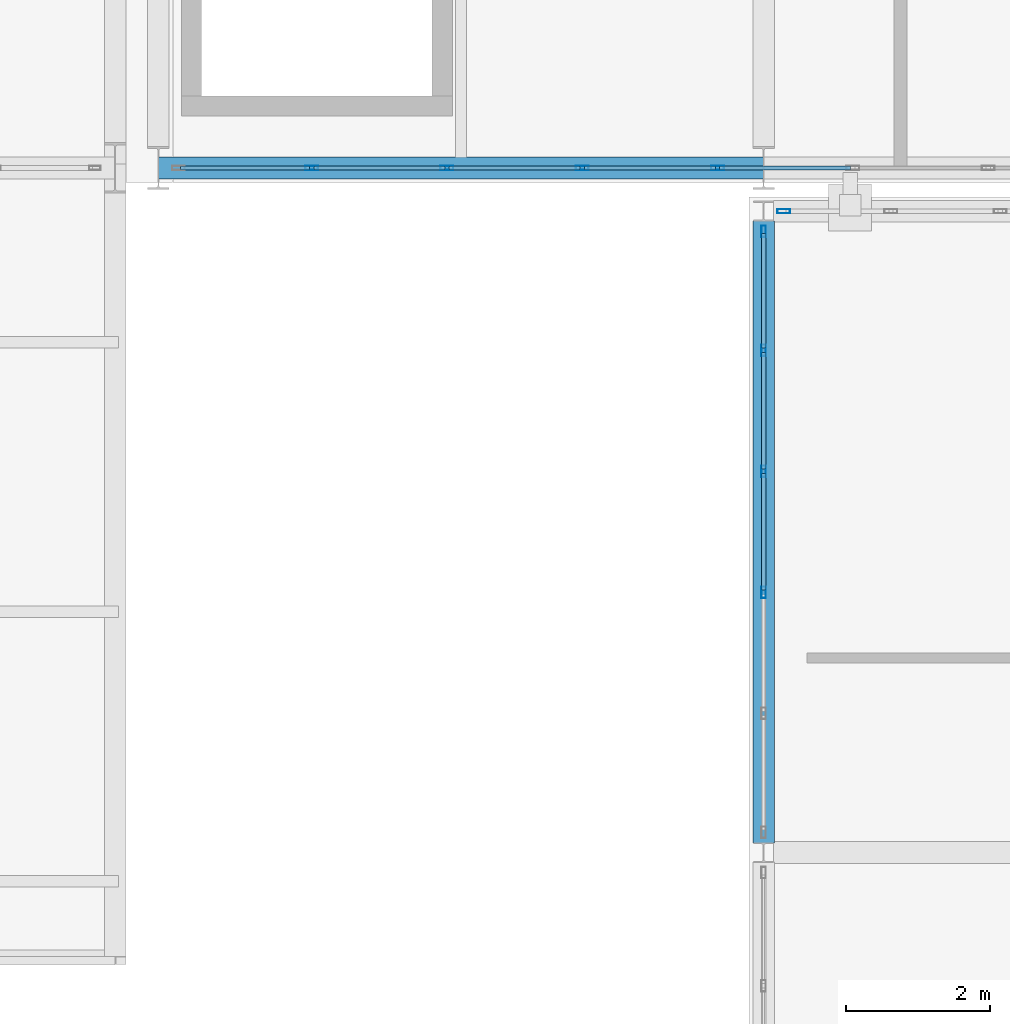
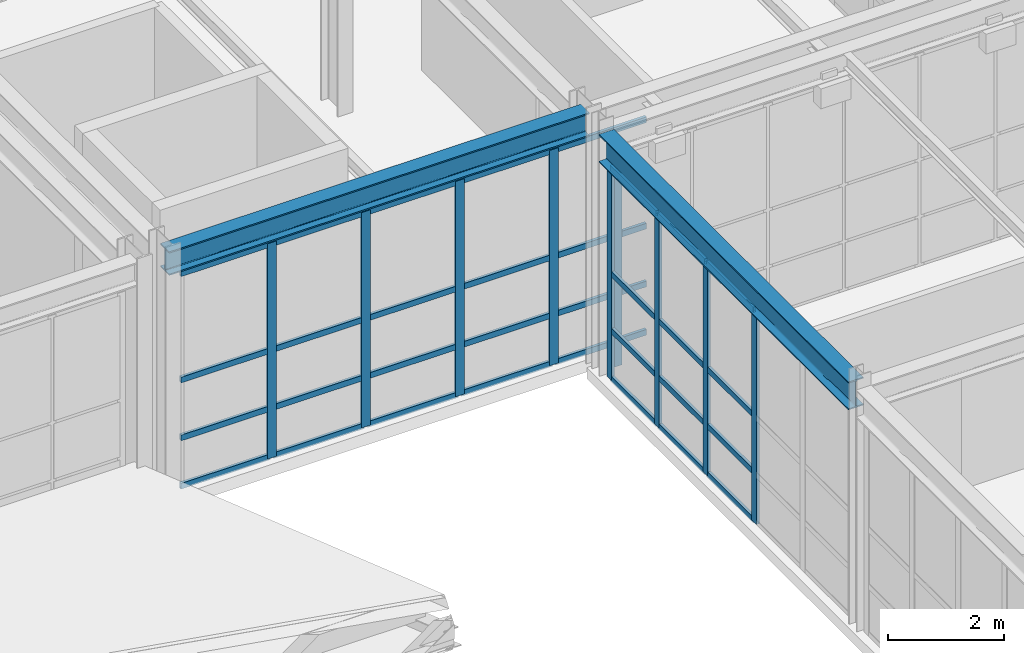
# One storey, part 143 of 239: 41 members, 2 beams, 3 elements without a shape of their own.
"""IFC4 building model written with IfcOpenShell, lengths in metres."""

from ifc_helpers import new_model, si_unit, direction, frame, origin, origin_2d, place, context, subcontext, project, spatial, hollow_rectangle, i_section, extrude, material, material_profile, profile_set, type_object, element, aggregate, save


model = new_model("IFC4")

# Units and contexts
model_context = context("Model", 3, precision=1e-05, world=origin(), true_north=direction((0.0, 1.0)))
body_context = subcontext(model_context, "Body", "Model", "MODEL_VIEW")
ifc_project = project(units=[si_unit("LENGTHUNIT", "METRE"), si_unit("AREAUNIT", "SQUARE_METRE"), si_unit("VOLUMEUNIT", "CUBIC_METRE"), si_unit("PLANEANGLEUNIT", "RADIAN"), si_unit("MASSUNIT", "GRAM", prefix="KILO")], contexts=[model_context])

# Site, building, storey
site_placement = place(None, origin())
site = spatial("IfcSite", under=ifc_project, at=site_placement, CompositionType="ELEMENT")
building_placement = place(site_placement, origin())
building = spatial("IfcBuilding", under=site, at=building_placement, Name="Kaldris Quays Convention Centre", CompositionType="ELEMENT")
storey_placement = place(building_placement, frame((0.0, 0.0, 11.39990234375)))
storey = spatial("IfcBuildingStorey", under=building, at=storey_placement, Name="L02", CompositionType="ELEMENT", Elevation=11.39990234375)

# Curtain wall, members
ifc_material_1 = material(Name="Anodized aluminium AW-6060 and triple glazing", Category="aluminium")
curtain_wall_type_1 = type_object("IfcCurtainWallType", Name="UNITISED CURTAIN WALL CW02", PredefinedType="NOTDEFINED", material=ifc_material_1)
curtain_wall_1_placement = place(storey_placement, origin())
curtain_wall_1 = element("IfcCurtainWall", 1, at=curtain_wall_1_placement, inside=storey, type_object=curtain_wall_type_1, Name="L02 Unitised Curtain Wall CW02 211", PredefinedType="NOTDEFINED")
ifc_material_2 = material(Name="Anodized aluminium AW-6060", Category="aluminium")
ifc_material_profile_1 = material_profile(ifc_material_2, hollow_rectangle(XDim=0.06005859375, YDim=0.159912109375, WallThickness=0.00390625, at=origin_2d()), Name="RHS 160x60x4")
ifc_profile_set_1 = profile_set([ifc_material_profile_1], Name="Anodized aluminium AW-6060")
member_type_1 = type_object("IfcMemberType", Name="CURTAIN MULLION CWM1", PredefinedType="MULLION", material=ifc_profile_set_1)
member_1_placement = place(storey_placement, frame((155.0, 32.110107421875, 0.0), z_axis=(0.0, 0.0, 1.0), x_axis=(-1.0, 0.0, 0.0)))
member_1 = element("IfcMember", 2, at=member_1_placement, type_object=member_type_1, Name="CW02 mullion 3", PredefinedType="MULLION", context=body_context, shape_type="SweptSolid", body=[
    extrude(hollow_rectangle(XDim=0.06005859375, YDim=0.159912109375, WallThickness=0.00390625, at=origin_2d()), origin(), (0.0, 0.0, 1.0), 4.498046875),
])
member_2_placement = place(storey_placement, frame((155.0, 33.7900390625, 0.0), z_axis=(0.0, 0.0, 1.0), x_axis=(-1.0, 0.0, 0.0)))
member_2 = element("IfcMember", 3, at=member_2_placement, type_object=member_type_1, Name="CW02 mullion 4", PredefinedType="MULLION", context=body_context, shape_type="SweptSolid", body=[
    extrude(hollow_rectangle(XDim=0.06005859375, YDim=0.159912109375, WallThickness=0.00390625, at=origin_2d()), origin(), (0.0, 0.0, 1.0), 4.498046875),
])
member_3_placement = place(storey_placement, frame((155.0, 35.469970703125, 0.0), z_axis=(0.0, 0.0, 1.0), x_axis=(-1.0, 0.0, 0.0)))
member_3 = element("IfcMember", 4, at=member_3_placement, type_object=member_type_1, Name="CW02 mullion 5", PredefinedType="MULLION", context=body_context, shape_type="SweptSolid", body=[
    extrude(hollow_rectangle(XDim=0.06005859375, YDim=0.159912109375, WallThickness=0.00390625, at=origin_2d()), origin(), (0.0, 0.0, 1.0), 4.498046875),
])
member_4_placement = place(storey_placement, frame((155.0, 37.1201171875, 0.0), z_axis=(0.0, 0.0, 1.0), x_axis=(-1.0, 0.0, 0.0)))
member_4 = element("IfcMember", 5, at=member_4_placement, type_object=member_type_1, Name="CW02 mullion 6", PredefinedType="MULLION", context=body_context, shape_type="SweptSolid", body=[
    extrude(hollow_rectangle(XDim=0.06005859375, YDim=0.159912109375, WallThickness=0.00390625, at=origin_2d()), origin(), (0.0, 0.0, 1.0), 4.498046875),
])

curtain_wall_type_2 = type_object("IfcCurtainWallType", Name="UNITISED CURTAIN WALL CW05", PredefinedType="NOTDEFINED", material=ifc_material_1)
curtain_wall_2_placement = place(storey_placement, origin())
curtain_wall_2 = element("IfcCurtainWall", 6, at=curtain_wall_2_placement, inside=storey, type_object=curtain_wall_type_2, Name="L02 Unitised Curtain Wall CW05 145", PredefinedType="NOTDEFINED")
ifc_material_profile_2 = material_profile(ifc_material_2, hollow_rectangle(XDim=0.06005859375, YDim=0.179931640625, WallThickness=0.0048828125, at=origin_2d()), Name="RHS 180x60x5")
ifc_profile_set_2 = profile_set([ifc_material_profile_2], Name="Anodized aluminium AW-6060")
member_type_2 = type_object("IfcMemberType", Name="CURTAIN MULLION CWM2", PredefinedType="MULLION", material=ifc_profile_set_2)
member_5_placement = place(storey_placement, frame((148.727783203125, 38.0, 0.0), z_axis=(0.0, 0.0, 1.0), x_axis=(0.0, 1.0, 0.0)))
member_5 = element("IfcMember", 7, at=member_5_placement, type_object=member_type_2, Name="CW05 mullion 2", PredefinedType="MULLION", context=body_context, shape_type="SweptSolid", body=[
    extrude(hollow_rectangle(XDim=0.06005859375, YDim=0.179931640625, WallThickness=0.0048828125, at=origin_2d()), origin(), (0.0, 0.0, 1.0), 4.548095703125),
])
member_6_placement = place(storey_placement, frame((150.60546875, 38.0, 0.0), z_axis=(0.0, 0.0, 1.0), x_axis=(0.0, 1.0, 0.0)))
member_6 = element("IfcMember", 8, at=member_6_placement, type_object=member_type_2, Name="CW05 mullion 3", PredefinedType="MULLION", context=body_context, shape_type="SweptSolid", body=[
    extrude(hollow_rectangle(XDim=0.06005859375, YDim=0.179931640625, WallThickness=0.0048828125, at=origin_2d()), origin(), (0.0, 0.0, 1.0), 4.548095703125),
])
member_7_placement = place(storey_placement, frame((152.4833984375, 38.0, 0.0), z_axis=(0.0, 0.0, 1.0), x_axis=(0.0, 1.0, 0.0)))
member_7 = element("IfcMember", 9, at=member_7_placement, type_object=member_type_2, Name="CW05 mullion 4", PredefinedType="MULLION", context=body_context, shape_type="SweptSolid", body=[
    extrude(hollow_rectangle(XDim=0.06005859375, YDim=0.179931640625, WallThickness=0.0048828125, at=origin_2d()), origin(), (0.0, 0.0, 1.0), 4.548095703125),
])
member_8_placement = place(storey_placement, frame((154.361083984375, 38.0, 0.0), z_axis=(0.0, 0.0, 1.0), x_axis=(0.0, 1.0, 0.0)))
member_8 = element("IfcMember", 10, at=member_8_placement, type_object=member_type_2, Name="CW05 mullion 5", PredefinedType="MULLION", context=body_context, shape_type="SweptSolid", body=[
    extrude(hollow_rectangle(XDim=0.06005859375, YDim=0.179931640625, WallThickness=0.0048828125, at=origin_2d()), origin(), (0.0, 0.0, 1.0), 4.548095703125),
])

# Curtain wall, member
curtain_wall_3_placement = place(storey_placement, origin())
curtain_wall_3 = element("IfcCurtainWall", 11, at=curtain_wall_3_placement, inside=storey, type_object=curtain_wall_type_1, Name="L02 Unitised Curtain Wall CW02 200", PredefinedType="NOTDEFINED")
member_9_placement = place(storey_placement, frame((155.280029296875, 37.39990234375, 0.0), z_axis=(0.0, 0.0, 1.0), x_axis=(0.0, 1.0, 0.0)))
member_9 = element("IfcMember", 12, at=member_9_placement, type_object=member_type_2, Name="CW02 mullion 1", PredefinedType="MULLION", context=body_context, shape_type="SweptSolid", body=[
    extrude(hollow_rectangle(XDim=0.06005859375, YDim=0.179931640625, WallThickness=0.0048828125, at=origin_2d()), origin(), (0.0, 0.0, 1.0), 4.498046875),
])
aggregate(curtain_wall_3, [member_9])

# Member
ifc_material_profile_3 = material_profile(ifc_material_2, hollow_rectangle(XDim=0.06005859375, YDim=0.1201171875, WallThickness=0.00390625, at=origin_2d()), Name="RHS 120x60x4")
ifc_profile_set_3 = profile_set([ifc_material_profile_3], Name="Anodized aluminium AW-6060")
member_type_3 = type_object("IfcMemberType", Name="CURTAIN TRANSOM CWT1", PredefinedType="USERDEFINED", material=ifc_profile_set_3)
member_10_placement = place(storey_placement, frame((146.909912109375, 38.0, 0.030029296875), z_axis=(1.0, 0.0, 0.0), x_axis=(0.0, 1.0, 0.0)))
member_10 = element("IfcMember", 13, at=member_10_placement, type_object=member_type_3, Name="CW05 transom 1.1", ObjectType="TRANSOM", PredefinedType="USERDEFINED", context=body_context, shape_type="SweptSolid", body=[
    extrude(hollow_rectangle(XDim=0.06005859375, YDim=0.1201171875, WallThickness=0.00390625, at=origin_2d()), origin(), (0.0, 0.0, 1.0), 1.787841796875),
])

member_11_placement = place(storey_placement, frame((146.909912109375, 38.0, 1.050048828125), z_axis=(1.0, 0.0, 0.0), x_axis=(0.0, 1.0, 0.0)))
member_11 = element("IfcMember", 14, at=member_11_placement, type_object=member_type_3, Name="CW05 transom 1.2", ObjectType="TRANSOM", PredefinedType="USERDEFINED", context=body_context, shape_type="SweptSolid", body=[
    extrude(hollow_rectangle(XDim=0.06005859375, YDim=0.1201171875, WallThickness=0.00390625, at=origin_2d()), origin(), (0.0, 0.0, 1.0), 1.787841796875),
])

member_12_placement = place(storey_placement, frame((146.909912109375, 38.0, 2.274169921875), z_axis=(1.0, 0.0, 0.0), x_axis=(0.0, 1.0, 0.0)))
member_12 = element("IfcMember", 15, at=member_12_placement, type_object=member_type_3, Name="CW05 transom 1.3", ObjectType="TRANSOM", PredefinedType="USERDEFINED", context=body_context, shape_type="SweptSolid", body=[
    extrude(hollow_rectangle(XDim=0.06005859375, YDim=0.1201171875, WallThickness=0.00390625, at=origin_2d()), origin(), (0.0, 0.0, 1.0), 1.787841796875),
])

member_13_placement = place(storey_placement, frame((146.909912109375, 38.0, 4.51806640625), z_axis=(1.0, 0.0, 0.0), x_axis=(0.0, 1.0, 0.0)))
member_13 = element("IfcMember", 16, at=member_13_placement, type_object=member_type_3, Name="CW05 transom 1.4", ObjectType="TRANSOM", PredefinedType="USERDEFINED", context=body_context, shape_type="SweptSolid", body=[
    extrude(hollow_rectangle(XDim=0.06005859375, YDim=0.1201171875, WallThickness=0.00390625, at=origin_2d()), origin(), (0.0, 0.0, 1.0), 1.787841796875),
])

member_14_placement = place(storey_placement, frame((148.7578125, 38.0, 0.030029296875), z_axis=(1.0, 0.0, 0.0), x_axis=(0.0, 1.0, 0.0)))
member_14 = element("IfcMember", 17, at=member_14_placement, type_object=member_type_3, Name="CW05 transom 2.1", ObjectType="TRANSOM", PredefinedType="USERDEFINED", context=body_context, shape_type="SweptSolid", body=[
    extrude(hollow_rectangle(XDim=0.06005859375, YDim=0.1201171875, WallThickness=0.00390625, at=origin_2d()), origin(), (0.0, 0.0, 1.0), 1.817626953125),
])

member_15_placement = place(storey_placement, frame((148.7578125, 38.0, 1.050048828125), z_axis=(1.0, 0.0, 0.0), x_axis=(0.0, 1.0, 0.0)))
member_15 = element("IfcMember", 18, at=member_15_placement, type_object=member_type_3, Name="CW05 transom 2.2", ObjectType="TRANSOM", PredefinedType="USERDEFINED", context=body_context, shape_type="SweptSolid", body=[
    extrude(hollow_rectangle(XDim=0.06005859375, YDim=0.1201171875, WallThickness=0.00390625, at=origin_2d()), origin(), (0.0, 0.0, 1.0), 1.817626953125),
])

member_16_placement = place(storey_placement, frame((148.7578125, 38.0, 2.274169921875), z_axis=(1.0, 0.0, 0.0), x_axis=(0.0, 1.0, 0.0)))
member_16 = element("IfcMember", 19, at=member_16_placement, type_object=member_type_3, Name="CW05 transom 2.3", ObjectType="TRANSOM", PredefinedType="USERDEFINED", context=body_context, shape_type="SweptSolid", body=[
    extrude(hollow_rectangle(XDim=0.06005859375, YDim=0.1201171875, WallThickness=0.00390625, at=origin_2d()), origin(), (0.0, 0.0, 1.0), 1.817626953125),
])

member_17_placement = place(storey_placement, frame((148.7578125, 38.0, 4.51806640625), z_axis=(1.0, 0.0, 0.0), x_axis=(0.0, 1.0, 0.0)))
member_17 = element("IfcMember", 20, at=member_17_placement, type_object=member_type_3, Name="CW05 transom 2.4", ObjectType="TRANSOM", PredefinedType="USERDEFINED", context=body_context, shape_type="SweptSolid", body=[
    extrude(hollow_rectangle(XDim=0.06005859375, YDim=0.1201171875, WallThickness=0.00390625, at=origin_2d()), origin(), (0.0, 0.0, 1.0), 1.817626953125),
])

member_18_placement = place(storey_placement, frame((150.635498046875, 38.0, 0.030029296875), z_axis=(1.0, 0.0, 0.0), x_axis=(0.0, 1.0, 0.0)))
member_18 = element("IfcMember", 21, at=member_18_placement, type_object=member_type_3, Name="CW05 transom 3.1", ObjectType="TRANSOM", PredefinedType="USERDEFINED", context=body_context, shape_type="SweptSolid", body=[
    extrude(hollow_rectangle(XDim=0.06005859375, YDim=0.1201171875, WallThickness=0.00390625, at=origin_2d()), origin(), (0.0, 0.0, 1.0), 1.81787109375),
])

member_19_placement = place(storey_placement, frame((150.635498046875, 38.0, 1.050048828125), z_axis=(1.0, 0.0, 0.0), x_axis=(0.0, 1.0, 0.0)))
member_19 = element("IfcMember", 22, at=member_19_placement, type_object=member_type_3, Name="CW05 transom 3.2", ObjectType="TRANSOM", PredefinedType="USERDEFINED", context=body_context, shape_type="SweptSolid", body=[
    extrude(hollow_rectangle(XDim=0.06005859375, YDim=0.1201171875, WallThickness=0.00390625, at=origin_2d()), origin(), (0.0, 0.0, 1.0), 1.81787109375),
])

member_20_placement = place(storey_placement, frame((150.635498046875, 38.0, 2.274169921875), z_axis=(1.0, 0.0, 0.0), x_axis=(0.0, 1.0, 0.0)))
member_20 = element("IfcMember", 23, at=member_20_placement, type_object=member_type_3, Name="CW05 transom 3.3", ObjectType="TRANSOM", PredefinedType="USERDEFINED", context=body_context, shape_type="SweptSolid", body=[
    extrude(hollow_rectangle(XDim=0.06005859375, YDim=0.1201171875, WallThickness=0.00390625, at=origin_2d()), origin(), (0.0, 0.0, 1.0), 1.81787109375),
])

member_21_placement = place(storey_placement, frame((150.635498046875, 38.0, 4.51806640625), z_axis=(1.0, 0.0, 0.0), x_axis=(0.0, 1.0, 0.0)))
member_21 = element("IfcMember", 24, at=member_21_placement, type_object=member_type_3, Name="CW05 transom 3.4", ObjectType="TRANSOM", PredefinedType="USERDEFINED", context=body_context, shape_type="SweptSolid", body=[
    extrude(hollow_rectangle(XDim=0.06005859375, YDim=0.1201171875, WallThickness=0.00390625, at=origin_2d()), origin(), (0.0, 0.0, 1.0), 1.81787109375),
])

member_22_placement = place(storey_placement, frame((152.513427734375, 38.0, 0.030029296875), z_axis=(1.0, 0.0, 0.0), x_axis=(0.0, 1.0, 0.0)))
member_22 = element("IfcMember", 25, at=member_22_placement, type_object=member_type_3, Name="CW05 transom 4.1", ObjectType="TRANSOM", PredefinedType="USERDEFINED", context=body_context, shape_type="SweptSolid", body=[
    extrude(hollow_rectangle(XDim=0.06005859375, YDim=0.1201171875, WallThickness=0.00390625, at=origin_2d()), origin(), (0.0, 0.0, 1.0), 1.817626953125),
])

member_23_placement = place(storey_placement, frame((152.513427734375, 38.0, 1.050048828125), z_axis=(1.0, 0.0, 0.0), x_axis=(0.0, 1.0, 0.0)))
member_23 = element("IfcMember", 26, at=member_23_placement, type_object=member_type_3, Name="CW05 transom 4.2", ObjectType="TRANSOM", PredefinedType="USERDEFINED", context=body_context, shape_type="SweptSolid", body=[
    extrude(hollow_rectangle(XDim=0.06005859375, YDim=0.1201171875, WallThickness=0.00390625, at=origin_2d()), origin(), (0.0, 0.0, 1.0), 1.817626953125),
])

member_24_placement = place(storey_placement, frame((152.513427734375, 38.0, 2.274169921875), z_axis=(1.0, 0.0, 0.0), x_axis=(0.0, 1.0, 0.0)))
member_24 = element("IfcMember", 27, at=member_24_placement, type_object=member_type_3, Name="CW05 transom 4.3", ObjectType="TRANSOM", PredefinedType="USERDEFINED", context=body_context, shape_type="SweptSolid", body=[
    extrude(hollow_rectangle(XDim=0.06005859375, YDim=0.1201171875, WallThickness=0.00390625, at=origin_2d()), origin(), (0.0, 0.0, 1.0), 1.817626953125),
])

member_25_placement = place(storey_placement, frame((152.513427734375, 38.0, 4.51806640625), z_axis=(1.0, 0.0, 0.0), x_axis=(0.0, 1.0, 0.0)))
member_25 = element("IfcMember", 28, at=member_25_placement, type_object=member_type_3, Name="CW05 transom 4.4", ObjectType="TRANSOM", PredefinedType="USERDEFINED", context=body_context, shape_type="SweptSolid", body=[
    extrude(hollow_rectangle(XDim=0.06005859375, YDim=0.1201171875, WallThickness=0.00390625, at=origin_2d()), origin(), (0.0, 0.0, 1.0), 1.817626953125),
])

member_26_placement = place(storey_placement, frame((154.39111328125, 38.0, 0.030029296875), z_axis=(1.0, 0.0, 0.0), x_axis=(0.0, 1.0, 0.0)))
member_26 = element("IfcMember", 29, at=member_26_placement, type_object=member_type_3, Name="CW05 transom 5.1", ObjectType="TRANSOM", PredefinedType="USERDEFINED", context=body_context, shape_type="SweptSolid", body=[
    extrude(hollow_rectangle(XDim=0.06005859375, YDim=0.1201171875, WallThickness=0.00390625, at=origin_2d()), origin(), (0.0, 0.0, 1.0), 1.81787109375),
])

member_27_placement = place(storey_placement, frame((154.39111328125, 38.0, 1.050048828125), z_axis=(1.0, 0.0, 0.0), x_axis=(0.0, 1.0, 0.0)))
member_27 = element("IfcMember", 30, at=member_27_placement, type_object=member_type_3, Name="CW05 transom 5.2", ObjectType="TRANSOM", PredefinedType="USERDEFINED", context=body_context, shape_type="SweptSolid", body=[
    extrude(hollow_rectangle(XDim=0.06005859375, YDim=0.1201171875, WallThickness=0.00390625, at=origin_2d()), origin(), (0.0, 0.0, 1.0), 1.81787109375),
])

member_28_placement = place(storey_placement, frame((154.39111328125, 38.0, 2.274169921875), z_axis=(1.0, 0.0, 0.0), x_axis=(0.0, 1.0, 0.0)))
member_28 = element("IfcMember", 31, at=member_28_placement, type_object=member_type_3, Name="CW05 transom 5.3", ObjectType="TRANSOM", PredefinedType="USERDEFINED", context=body_context, shape_type="SweptSolid", body=[
    extrude(hollow_rectangle(XDim=0.06005859375, YDim=0.1201171875, WallThickness=0.00390625, at=origin_2d()), origin(), (0.0, 0.0, 1.0), 1.81787109375),
])

member_29_placement = place(storey_placement, frame((154.39111328125, 38.0, 4.51806640625), z_axis=(1.0, 0.0, 0.0), x_axis=(0.0, 1.0, 0.0)))
member_29 = element("IfcMember", 32, at=member_29_placement, type_object=member_type_3, Name="CW05 transom 5.4", ObjectType="TRANSOM", PredefinedType="USERDEFINED", context=body_context, shape_type="SweptSolid", body=[
    extrude(hollow_rectangle(XDim=0.06005859375, YDim=0.1201171875, WallThickness=0.00390625, at=origin_2d()), origin(), (0.0, 0.0, 1.0), 1.81787109375),
])

aggregate(curtain_wall_2, [member_5, member_6, member_7, member_8, member_10, member_11, member_12, member_13, member_14, member_15, member_16, member_17, member_18, member_19, member_20, member_21, member_22, member_23, member_24, member_25, member_26, member_27, member_28, member_29])

member_30_placement = place(storey_placement, frame((155.0, 32.139892578125, 0.030029296875), z_axis=(0.0, 1.0, 0.0), x_axis=(-1.0, 0.0, 0.0)))
member_30 = element("IfcMember", 33, at=member_30_placement, type_object=member_type_3, Name="CW02 transom 3.1", ObjectType="TRANSOM", PredefinedType="USERDEFINED", context=body_context, shape_type="SweptSolid", body=[
    extrude(hollow_rectangle(XDim=0.06005859375, YDim=0.1201171875, WallThickness=0.00390625, at=origin_2d()), origin(), (0.0, 0.0, 1.0), 1.6201171875),
])

member_31_placement = place(storey_placement, frame((155.0, 32.139892578125, 1.050048828125), z_axis=(0.0, 1.0, 0.0), x_axis=(-1.0, 0.0, 0.0)))
member_31 = element("IfcMember", 34, at=member_31_placement, type_object=member_type_3, Name="CW02 transom 3.2", ObjectType="TRANSOM", PredefinedType="USERDEFINED", context=body_context, shape_type="SweptSolid", body=[
    extrude(hollow_rectangle(XDim=0.06005859375, YDim=0.1201171875, WallThickness=0.00390625, at=origin_2d()), origin(), (0.0, 0.0, 1.0), 1.6201171875),
])

member_32_placement = place(storey_placement, frame((155.0, 32.139892578125, 2.2490234375), z_axis=(0.0, 1.0, 0.0), x_axis=(-1.0, 0.0, 0.0)))
member_32 = element("IfcMember", 35, at=member_32_placement, type_object=member_type_3, Name="CW02 transom 3.3", ObjectType="TRANSOM", PredefinedType="USERDEFINED", context=body_context, shape_type="SweptSolid", body=[
    extrude(hollow_rectangle(XDim=0.06005859375, YDim=0.1201171875, WallThickness=0.00390625, at=origin_2d()), origin(), (0.0, 0.0, 1.0), 1.6201171875),
])

member_33_placement = place(storey_placement, frame((155.0, 32.139892578125, 4.468017578125), z_axis=(0.0, 1.0, 0.0), x_axis=(-1.0, 0.0, 0.0)))
member_33 = element("IfcMember", 36, at=member_33_placement, type_object=member_type_3, Name="CW02 transom 3.4", ObjectType="TRANSOM", PredefinedType="USERDEFINED", context=body_context, shape_type="SweptSolid", body=[
    extrude(hollow_rectangle(XDim=0.06005859375, YDim=0.1201171875, WallThickness=0.00390625, at=origin_2d()), origin(), (0.0, 0.0, 1.0), 1.6201171875),
])

member_34_placement = place(storey_placement, frame((155.0, 33.820068359375, 0.030029296875), z_axis=(0.0, 1.0, 0.0), x_axis=(-1.0, 0.0, 0.0)))
member_34 = element("IfcMember", 37, at=member_34_placement, type_object=member_type_3, Name="CW02 transom 4.1", ObjectType="TRANSOM", PredefinedType="USERDEFINED", context=body_context, shape_type="SweptSolid", body=[
    extrude(hollow_rectangle(XDim=0.06005859375, YDim=0.1201171875, WallThickness=0.00390625, at=origin_2d()), origin(), (0.0, 0.0, 1.0), 1.619873046875),
])

member_35_placement = place(storey_placement, frame((155.0, 33.820068359375, 1.050048828125), z_axis=(0.0, 1.0, 0.0), x_axis=(-1.0, 0.0, 0.0)))
member_35 = element("IfcMember", 38, at=member_35_placement, type_object=member_type_3, Name="CW02 transom 4.2", ObjectType="TRANSOM", PredefinedType="USERDEFINED", context=body_context, shape_type="SweptSolid", body=[
    extrude(hollow_rectangle(XDim=0.06005859375, YDim=0.1201171875, WallThickness=0.00390625, at=origin_2d()), origin(), (0.0, 0.0, 1.0), 1.619873046875),
])

member_36_placement = place(storey_placement, frame((155.0, 33.820068359375, 2.2490234375), z_axis=(0.0, 1.0, 0.0), x_axis=(-1.0, 0.0, 0.0)))
member_36 = element("IfcMember", 39, at=member_36_placement, type_object=member_type_3, Name="CW02 transom 4.3", ObjectType="TRANSOM", PredefinedType="USERDEFINED", context=body_context, shape_type="SweptSolid", body=[
    extrude(hollow_rectangle(XDim=0.06005859375, YDim=0.1201171875, WallThickness=0.00390625, at=origin_2d()), origin(), (0.0, 0.0, 1.0), 1.619873046875),
])

member_37_placement = place(storey_placement, frame((155.0, 33.820068359375, 4.468017578125), z_axis=(0.0, 1.0, 0.0), x_axis=(-1.0, 0.0, 0.0)))
member_37 = element("IfcMember", 40, at=member_37_placement, type_object=member_type_3, Name="CW02 transom 4.4", ObjectType="TRANSOM", PredefinedType="USERDEFINED", context=body_context, shape_type="SweptSolid", body=[
    extrude(hollow_rectangle(XDim=0.06005859375, YDim=0.1201171875, WallThickness=0.00390625, at=origin_2d()), origin(), (0.0, 0.0, 1.0), 1.619873046875),
])

member_38_placement = place(storey_placement, frame((155.0, 35.5, 0.030029296875), z_axis=(0.0, 1.0, 0.0), x_axis=(-1.0, 0.0, 0.0)))
member_38 = element("IfcMember", 41, at=member_38_placement, type_object=member_type_3, Name="CW02 transom 5.1", ObjectType="TRANSOM", PredefinedType="USERDEFINED", context=body_context, shape_type="SweptSolid", body=[
    extrude(hollow_rectangle(XDim=0.06005859375, YDim=0.1201171875, WallThickness=0.00390625, at=origin_2d()), origin(), (0.0, 0.0, 1.0), 1.590087890625),
])

member_39_placement = place(storey_placement, frame((155.0, 35.5, 1.050048828125), z_axis=(0.0, 1.0, 0.0), x_axis=(-1.0, 0.0, 0.0)))
member_39 = element("IfcMember", 42, at=member_39_placement, type_object=member_type_3, Name="CW02 transom 5.2", ObjectType="TRANSOM", PredefinedType="USERDEFINED", context=body_context, shape_type="SweptSolid", body=[
    extrude(hollow_rectangle(XDim=0.06005859375, YDim=0.1201171875, WallThickness=0.00390625, at=origin_2d()), origin(), (0.0, 0.0, 1.0), 1.590087890625),
])

member_40_placement = place(storey_placement, frame((155.0, 35.5, 2.2490234375), z_axis=(0.0, 1.0, 0.0), x_axis=(-1.0, 0.0, 0.0)))
member_40 = element("IfcMember", 43, at=member_40_placement, type_object=member_type_3, Name="CW02 transom 5.3", ObjectType="TRANSOM", PredefinedType="USERDEFINED", context=body_context, shape_type="SweptSolid", body=[
    extrude(hollow_rectangle(XDim=0.06005859375, YDim=0.1201171875, WallThickness=0.00390625, at=origin_2d()), origin(), (0.0, 0.0, 1.0), 1.590087890625),
])

member_41_placement = place(storey_placement, frame((155.0, 35.5, 4.468017578125), z_axis=(0.0, 1.0, 0.0), x_axis=(-1.0, 0.0, 0.0)))
member_41 = element("IfcMember", 44, at=member_41_placement, type_object=member_type_3, Name="CW02 transom 5.4", ObjectType="TRANSOM", PredefinedType="USERDEFINED", context=body_context, shape_type="SweptSolid", body=[
    extrude(hollow_rectangle(XDim=0.06005859375, YDim=0.1201171875, WallThickness=0.00390625, at=origin_2d()), origin(), (0.0, 0.0, 1.0), 1.590087890625),
])

aggregate(curtain_wall_1, [member_1, member_2, member_3, member_4, member_30, member_31, member_32, member_33, member_34, member_35, member_36, member_37, member_38, member_39, member_40, member_41])

# Beams
ifc_material_3 = material(Name="Steel S355J2", Category="steel")
ifc_material_profile_4 = material_profile(ifc_material_3, i_section(OverallWidth=0.300048828125, OverallDepth=0.5, WebThickness=0.014404296875, FlangeThickness=0.028076171875, FilletRadius=0.027099609375, at=origin_2d()), Name="HEB 500")
ifc_profile_set_4 = profile_set([ifc_material_profile_4], Name="Steel S355J2")
beam_type_1 = type_object("IfcBeamType", Name="STRUCTURAL BEAM BM06", PredefinedType="BEAM", material=ifc_profile_set_4)
beam_1_placement = place(storey_placement, frame((146.601806640625, 38.0, 4.9130859375), z_axis=(1.0, 0.0, 0.0), x_axis=(0.0, 1.0, 0.0)))
element("IfcBeam", 45, at=beam_1_placement, inside=storey, type_object=beam_type_1, Name="L02 Girder BM06 8", PredefinedType="BEAM", context=body_context, shape_type="SweptSolid", body=[
    extrude(i_section(OverallWidth=0.300048828125, OverallDepth=0.5, WebThickness=0.014404296875, FlangeThickness=0.028076171875, FilletRadius=0.027099609375, at=origin_2d()), origin(), (0.0, 0.0, 1.0), 8.396484375),
])
ifc_material_profile_5 = material_profile(ifc_material_3, i_section(OverallWidth=0.300048828125, OverallDepth=0.590087890625, WebThickness=0.012939453125, FlangeThickness=0.02490234375, FilletRadius=0.027099609375, at=origin_2d()), Name="HEA 600")
ifc_profile_set_5 = profile_set([ifc_material_profile_5], Name="Steel S355J2")
beam_type_2 = type_object("IfcBeamType", Name="STRUCTURAL BEAM BM08", PredefinedType="BEAM", material=ifc_profile_set_5)
beam_2_placement = place(storey_placement, frame((155.0, 28.634033203125, 4.818115234375), z_axis=(0.0, 1.0, 0.0), x_axis=(-1.0, 0.0, 0.0)))
element("IfcBeam", 46, at=beam_2_placement, inside=storey, type_object=beam_type_2, Name="L02 Girder BM08 17", PredefinedType="BEAM", context=body_context, shape_type="SweptSolid", body=[
    extrude(i_section(OverallWidth=0.300048828125, OverallDepth=0.590087890625, WebThickness=0.012939453125, FlangeThickness=0.02490234375, FilletRadius=0.027099609375, at=origin_2d()), origin(), (0.0, 0.0, 1.0), 8.632080078125),
])

save(model, "model.ifc")
